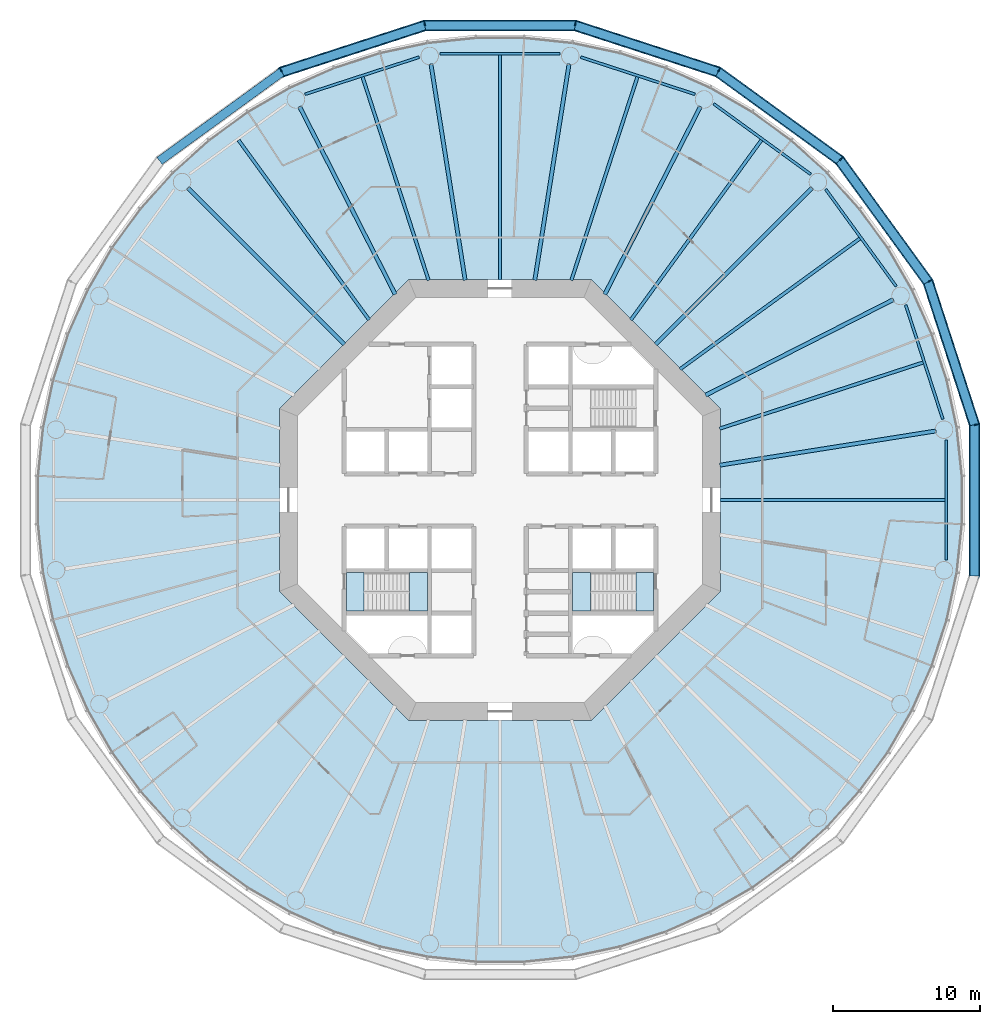
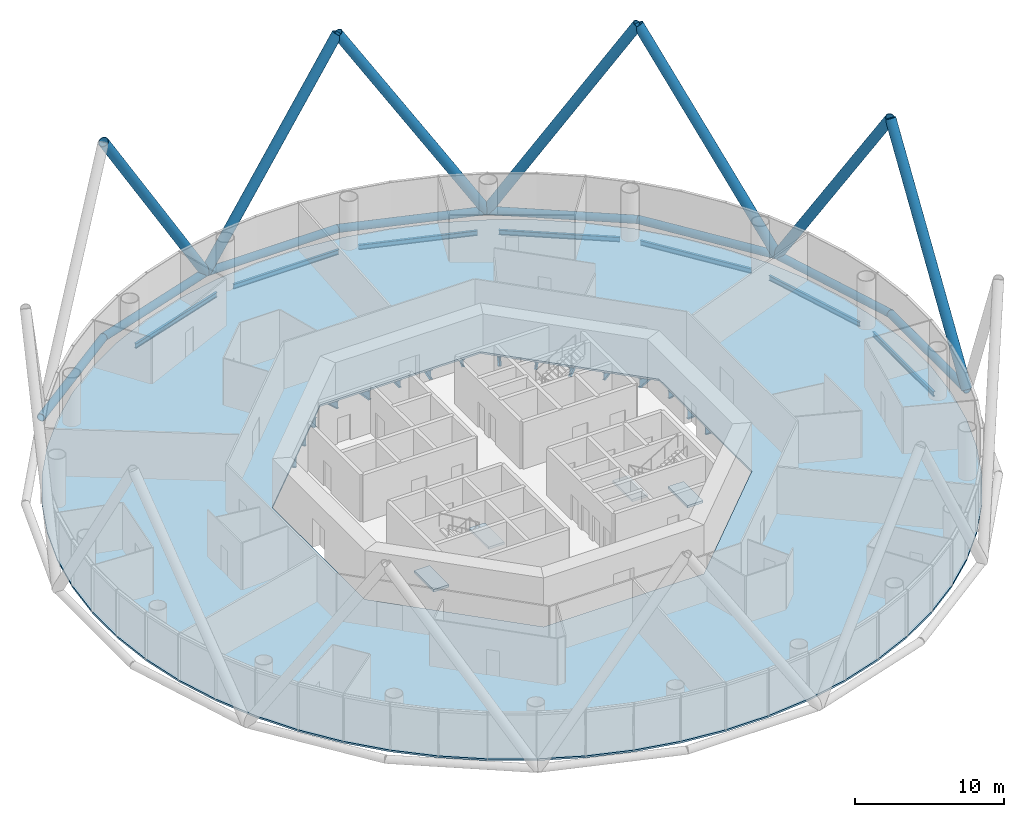
# One storey, part 2 of 14: 23 beams, 15 members, 5 slabs, 2 elements without a shape of their own.
"""IFC4 building model written with IfcOpenShell, lengths in metres."""

from ifc_helpers import new_model, si_unit, direction, frame, origin, origin_2d, place, context, subcontext, project, spatial, polyline, circle, hollow_circle, i_section, outline, extrude, material, layer, layer_set, material_profile, profile_set, type_object, element, aggregate, save


model = new_model("IFC4")

# Units and contexts
model_context = context("Model", 3, precision=1e-05, world=origin(), true_north=direction((0.0, 1.0)))
body_context = subcontext(model_context, "Body", "Model", "MODEL_VIEW")
ifc_project = project(units=[si_unit("LENGTHUNIT", "METRE"), si_unit("AREAUNIT", "SQUARE_METRE"), si_unit("VOLUMEUNIT", "CUBIC_METRE"), si_unit("PLANEANGLEUNIT", "RADIAN"), si_unit("MASSUNIT", "GRAM", prefix="KILO")], contexts=[model_context])

# Site, building, storey
site_placement = place(None, origin())
site = spatial("IfcSite", under=ifc_project, at=site_placement, CompositionType="ELEMENT")
building_placement = place(site_placement, origin())
building = spatial("IfcBuilding", under=site, at=building_placement, Name="Entoto Ring Tower", CompositionType="ELEMENT")
storey_placement = place(building_placement, frame((0.0, 0.0, 80.0)))
storey = spatial("IfcBuildingStorey", under=building, at=storey_placement, Name="L17", CompositionType="ELEMENT", Elevation=80.0)

# Members
ifc_material_1 = material(Name="Steel S355", Category="steel")
ifc_material_profile_1 = material_profile(ifc_material_1, hollow_circle(Radius=0.375, WallThickness=0.0380859375, at=origin_2d()), Name="CHS 750 x 38")
ifc_material_2 = material(Name="Concrete C60/75", Category="concrete")
ifc_material_profile_2 = material_profile(ifc_material_2, circle(Radius=0.3369140625, at=origin_2d()), Name="Concrete C60/75 infill")
ifc_profile_set_1 = profile_set([ifc_material_profile_1, ifc_material_profile_2], Name="Steel S355")
member_type_1 = type_object("IfcMemberType", Name="Diagrid diagonal 750 x 38 concrete-filled tube", PredefinedType="BRACE", material=ifc_profile_set_1)
for number, where, z_axis, x_axis, name in (
    (1, (119.135986328125, 94.845458984375, 0.0), (0.166465095802, -0.512340715739, 0.84249413225), (0.95105896794, 0.309009448885, 0.0), "DG3A module 6 01"),
    (2, (119.135986328125, 94.845458984375, 0.0), (-0.316653552924, 0.435822862586, 0.842489738731), (-0.809008424404, -0.587797047665, 0.0), "DG3A module 6 02"),
    (3, (104.845458984375, 109.135986328125, 0.0), (0.435822862586, -0.316653552924, 0.842489738731), (0.587797047665, 0.809008424404, 0.0), "DG3A module 6 03"),
    (4, (104.845458984375, 109.135986328125, 0.0), (-0.512340715739, 0.166465095802, 0.84249413225), (-0.309009448885, -0.95105896794, 0.0), "DG3A module 6 04"),
):
    element("IfcMember", number, at=place(storey_placement, frame(where, z_axis=z_axis, x_axis=x_axis)), inside=storey, type_object=member_type_1, Name=name, PredefinedType="BRACE", context=body_context, shape_type="SweptSolid", body=[
        extrude(hollow_circle(Radius=0.375, WallThickness=0.0380859375, at=origin_2d()), origin(), (0.0, 0.0, 1.0), 18.9912109375),
    ])
member_1_placement = place(storey_placement, frame((84.884521484375, 112.29736328125, 0.0), z_axis=(0.538715853857, 0.0, 0.84248752442), x_axis=(0.0, 1.0, 0.0)))
element("IfcMember", 5, at=member_1_placement, inside=storey, type_object=member_type_1, Name="DG3A module 6 05", PredefinedType="BRACE", context=body_context, shape_type="SweptSolid", body=[
    extrude(hollow_circle(Radius=0.375, WallThickness=0.0380859375, at=origin_2d()), origin(), (0.0, 0.0, 1.0), 18.991455078125),
])
member_2_placement = place(storey_placement, frame((84.884521484375, 112.29736328125, 0.0), z_axis=(-0.512340715739, -0.166465095802, 0.84249413225), x_axis=(0.309009448885, -0.95105896794, 0.0)))
element("IfcMember", 6, at=member_2_placement, inside=storey, type_object=member_type_1, Name="DG3A module 6 06", PredefinedType="BRACE", context=body_context, shape_type="SweptSolid", body=[
    extrude(hollow_circle(Radius=0.375, WallThickness=0.0380859375, at=origin_2d()), origin(), (0.0, 0.0, 1.0), 18.9912109375),
])
member_3_placement = place(storey_placement, frame((122.29736328125, 74.884521484375, 0.0), z_axis=(0.0, 0.538715853857, 0.84248752442), x_axis=(-1.0, 0.0, 0.0)))
element("IfcMember", 7, at=member_3_placement, inside=storey, type_object=member_type_1, Name="DG3A module 6 20", PredefinedType="BRACE", context=body_context, shape_type="SweptSolid", body=[
    extrude(hollow_circle(Radius=0.375, WallThickness=0.0380859375, at=origin_2d()), origin(), (0.0, 0.0, 1.0), 18.991455078125),
])
ifc_material_3 = material(Name="Steel S355", Category="steel")
ifc_material_profile_3 = material_profile(ifc_material_3, hollow_circle(Radius=0.300048828125, WallThickness=0.030029296875, at=origin_2d()), Name="CHS 600 x 30")
ifc_material_4 = material(Name="Concrete C60/75", Category="concrete")
ifc_material_profile_4 = material_profile(ifc_material_4, circle(Radius=0.27001953125, at=origin_2d()), Name="Concrete C60/75 infill")
ifc_profile_set_2 = profile_set([ifc_material_profile_3, ifc_material_profile_4], Name="Steel S355")
member_type_2 = type_object("IfcMemberType", Name="Diagrid ring beam 600 x 30", PredefinedType="CHORD", material=ifc_profile_set_2)
for number, where, z_axis, x_axis, name in (
    (8, (119.175537109375, 94.790771484375, 0.0), (-0.587773909122, 0.809025235549, 0.0), (-0.809025235549, -0.587773909122, 0.0), "DR1 ring 5 01"),
    (9, (113.177001953125, 103.082763671875, 0.0), (-0.809025235549, 0.587773909122, 0.0), (-0.587773909122, -0.809025235549, 0.0), "DR1 ring 5 02"),
):
    element("IfcMember", number, at=place(storey_placement, frame(where, z_axis=z_axis, x_axis=x_axis)), inside=storey, type_object=member_type_2, Name=name, PredefinedType="CHORD", context=body_context, shape_type="SweptSolid", body=[
        extrude(hollow_circle(Radius=0.300048828125, WallThickness=0.030029296875, at=origin_2d()), origin(), (0.0, 0.0, 1.0), 10.365966796875),
    ])
for number, where, z_axis, x_axis, name in (
    (10, (104.90966796875, 109.114990234375, 0.0), (-0.951051375491, 0.309032815696, 0.0), (-0.309032815696, -0.951051375491, 0.0), "DR1 ring 5 03"),
    (11, (95.182861328125, 112.29736328125, 0.0), (-1.0, 0.0, 0.0), (0.0, -1.0, 0.0), "DR1 ring 5 04"),
    (12, (84.94873046875, 112.318359375, 0.0), (-0.951051375491, -0.309032815696, 0.0), (0.309032815696, -0.951051375491, 0.0), "DR1 ring 5 05"),
):
    element("IfcMember", number, at=place(storey_placement, frame(where, z_axis=z_axis, x_axis=x_axis)), inside=storey, type_object=member_type_2, Name=name, PredefinedType="CHORD", context=body_context, shape_type="SweptSolid", body=[
        extrude(hollow_circle(Radius=0.300048828125, WallThickness=0.030029296875, at=origin_2d()), origin(), (0.0, 0.0, 1.0), 10.36572265625),
    ])
member_4_placement = place(storey_placement, frame((75.209228515625, 109.175537109375, 0.0), z_axis=(-0.809025235549, -0.587773909122, 0.0), x_axis=(0.587773909122, -0.809025235549, 0.0)))
element("IfcMember", 13, at=member_4_placement, inside=storey, type_object=member_type_2, Name="DR1 ring 5 06", PredefinedType="CHORD", context=body_context, shape_type="SweptSolid", body=[
    extrude(hollow_circle(Radius=0.300048828125, WallThickness=0.030029296875, at=origin_2d()), origin(), (0.0, 0.0, 1.0), 10.365966796875),
])
for number, where, z_axis, x_axis, name in (
    (14, (122.29736328125, 74.817138671875, 0.0), (0.0, 1.0, 0.0), (-1.0, 0.0, 0.0), "DR1 ring 5 19"),
    (15, (122.318359375, 85.05126953125, 0.0), (-0.309032815696, 0.951051375491, 0.0), (-0.951051375491, -0.309032815696, 0.0), "DR1 ring 5 20"),
):
    element("IfcMember", number, at=place(storey_placement, frame(where, z_axis=z_axis, x_axis=x_axis)), inside=storey, type_object=member_type_2, Name=name, PredefinedType="CHORD", context=body_context, shape_type="SweptSolid", body=[
        extrude(hollow_circle(Radius=0.300048828125, WallThickness=0.030029296875, at=origin_2d()), origin(), (0.0, 0.0, 1.0), 10.36572265625),
    ])

# Beams
ifc_material_5 = material(Name="Steel S355", Category="steel")
ifc_material_profile_5 = material_profile(ifc_material_5, i_section(OverallWidth=0.179931640625, OverallDepth=0.39990234375, WebThickness=0.008544921875, FlangeThickness=0.013427734375, FilletRadius=0.02099609375, at=origin_2d()), Name="IPE 400")
ifc_profile_set_3 = profile_set([ifc_material_profile_5], Name="Steel S355")
beam_type_1 = type_object("IfcBeamType", Name="Edge beam IPE 400", PredefinedType="SPANDREL", material=ifc_profile_set_3)
beam_1_placement = place(storey_placement, frame((120.143310546875, 85.498779296875, -0.35009765625), z_axis=(-0.309011070448, 0.951058441075, 0.0), x_axis=(-0.951058441075, -0.309011070448, 0.0)))
element("IfcBeam", 16, at=beam_1_placement, inside=storey, type_object=beam_type_1, Name="Edge beam L17 01", PredefinedType="SPANDREL", context=body_context, shape_type="SweptSolid", body=[
    extrude(i_section(OverallWidth=0.179931640625, OverallDepth=0.39990234375, WebThickness=0.008544921875, FlangeThickness=0.013427734375, FilletRadius=0.02099609375, at=origin_2d()), origin(), (0.0, 0.0, 1.0), 8.170166015625),
])
for number, where, z_axis, x_axis, name in (
    (17, (116.96875, 94.544677734375, -0.35009765625), (-0.58779139635, 0.809012530421, 0.0), (-0.809012530421, -0.58779139635, 0.0), "Edge beam L17 02"),
    (18, (111.154296875, 102.16650390625, -0.35009765625), (-0.809012530421, 0.58779139635, 0.0), (-0.58779139635, -0.809012530421, 0.0), "Edge beam L17 03"),
):
    element("IfcBeam", number, at=place(storey_placement, frame(where, z_axis=z_axis, x_axis=x_axis)), inside=storey, type_object=beam_type_1, Name=name, PredefinedType="SPANDREL", context=body_context, shape_type="SweptSolid", body=[
        extrude(i_section(OverallWidth=0.179931640625, OverallDepth=0.39990234375, WebThickness=0.008544921875, FlangeThickness=0.013427734375, FilletRadius=0.02099609375, at=origin_2d()), origin(), (0.0, 0.0, 1.0), 8.169921875),
    ])
beam_2_placement = place(storey_placement, frame((103.26904296875, 107.61865234375, -0.35009765625), z_axis=(-0.951058441075, 0.309011070448, 0.0), x_axis=(-0.309011070448, -0.951058441075, 0.0)))
element("IfcBeam", 19, at=beam_2_placement, inside=storey, type_object=beam_type_1, Name="Edge beam L17 04", PredefinedType="SPANDREL", context=body_context, shape_type="SweptSolid", body=[
    extrude(i_section(OverallWidth=0.179931640625, OverallDepth=0.39990234375, WebThickness=0.008544921875, FlangeThickness=0.013427734375, FilletRadius=0.02099609375, at=origin_2d()), origin(), (0.0, 0.0, 1.0), 8.170166015625),
])
beam_3_placement = place(storey_placement, frame((94.0849609375, 110.3671875, -0.35009765625), z_axis=(-1.0, 0.0, 0.0), x_axis=(0.0, -1.0, 0.0)))
element("IfcBeam", 20, at=beam_3_placement, inside=storey, type_object=beam_type_1, Name="Edge beam L17 05", PredefinedType="SPANDREL", context=body_context, shape_type="SweptSolid", body=[
    extrude(i_section(OverallWidth=0.179931640625, OverallDepth=0.39990234375, WebThickness=0.008544921875, FlangeThickness=0.013427734375, FilletRadius=0.02099609375, at=origin_2d()), origin(), (0.0, 0.0, 1.0), 8.169921875),
])
beam_4_placement = place(storey_placement, frame((84.501220703125, 110.143310546875, -0.35009765625), z_axis=(-0.951058441075, -0.309011070448, 0.0), x_axis=(0.309011070448, -0.951058441075, 0.0)))
element("IfcBeam", 21, at=beam_4_placement, inside=storey, type_object=beam_type_1, Name="Edge beam L17 06", PredefinedType="SPANDREL", context=body_context, shape_type="SweptSolid", body=[
    extrude(i_section(OverallWidth=0.179931640625, OverallDepth=0.39990234375, WebThickness=0.008544921875, FlangeThickness=0.013427734375, FilletRadius=0.02099609375, at=origin_2d()), origin(), (0.0, 0.0, 1.0), 8.170166015625),
])
beam_5_placement = place(storey_placement, frame((120.3671875, 75.9150390625, -0.35009765625), z_axis=(0.0, 1.0, 0.0), x_axis=(-1.0, 0.0, 0.0)))
element("IfcBeam", 22, at=beam_5_placement, inside=storey, type_object=beam_type_1, Name="Edge beam L17 20", PredefinedType="SPANDREL", context=body_context, shape_type="SweptSolid", body=[
    extrude(i_section(OverallWidth=0.179931640625, OverallDepth=0.39990234375, WebThickness=0.008544921875, FlangeThickness=0.013427734375, FilletRadius=0.02099609375, at=origin_2d()), origin(), (0.0, 0.0, 1.0), 8.169921875),
])
ifc_material_6 = material(Name="Steel S355", Category="steel")
ifc_material_profile_6 = material_profile(ifc_material_6, i_section(OverallWidth=0.262939453125, OverallDepth=0.7529296875, WebThickness=0.011474609375, FlangeThickness=0.01708984375, FilletRadius=0.01708984375, at=origin_2d()), Name="IPE 750 x 137")
ifc_profile_set_4 = profile_set([ifc_material_profile_6], Name="Steel S355")
beam_type_2 = type_object("IfcBeamType", Name="Primary floor beam IPE 750 x 137", PredefinedType="BEAM", material=ifc_profile_set_4)
beam_6_placement = place(storey_placement, frame((104.959716796875, 82.369384765625, -0.526611328125), z_axis=(0.987688288162, 0.156434796089, 0.0), x_axis=(-0.156434796089, 0.987688288162, 0.0)))
element("IfcBeam", 23, at=beam_6_placement, inside=storey, type_object=beam_type_2, Name="Primary L17 R01", PredefinedType="BEAM", context=body_context, shape_type="SweptSolid", body=[
    extrude(i_section(OverallWidth=0.262939453125, OverallDepth=0.7529296875, WebThickness=0.011474609375, FlangeThickness=0.01708984375, FilletRadius=0.01708984375, at=origin_2d()), origin(), (0.0, 0.0, 1.0), 14.893310546875),
])
beam_7_placement = place(storey_placement, frame((103.9970703125, 87.1318359375, -0.526611328125), z_axis=(0.891004260202, 0.453994943036, 0.0), x_axis=(-0.453994943036, 0.891004260202, 0.0)))
element("IfcBeam", 24, at=beam_7_placement, inside=storey, type_object=beam_type_2, Name="Primary L17 R02", PredefinedType="BEAM", context=body_context, shape_type="SweptSolid", body=[
    extrude(i_section(OverallWidth=0.262939453125, OverallDepth=0.7529296875, WebThickness=0.011474609375, FlangeThickness=0.01708984375, FilletRadius=0.01708984375, at=origin_2d()), origin(), (0.0, 0.0, 1.0), 14.330322265625),
])
beam_8_placement = place(storey_placement, frame((100.592529296875, 90.592529296875, -0.526611328125), z_axis=(0.707106781187, 0.707106781187, 0.0), x_axis=(-0.707106781187, 0.707106781187, 0.0)))
element("IfcBeam", 25, at=beam_8_placement, inside=storey, type_object=beam_type_2, Name="Primary L17 R03", PredefinedType="BEAM", context=body_context, shape_type="SweptSolid", body=[
    extrude(i_section(OverallWidth=0.262939453125, OverallDepth=0.7529296875, WebThickness=0.011474609375, FlangeThickness=0.01708984375, FilletRadius=0.01708984375, at=origin_2d()), origin(), (0.0, 0.0, 1.0), 15.0595703125),
])
beam_9_placement = place(storey_placement, frame((97.1318359375, 93.9970703125, -0.526611328125), z_axis=(0.453994943036, 0.891004260202, 0.0), x_axis=(-0.891004260202, 0.453994943036, 0.0)))
element("IfcBeam", 26, at=beam_9_placement, inside=storey, type_object=beam_type_2, Name="Primary L17 R04", PredefinedType="BEAM", context=body_context, shape_type="SweptSolid", body=[
    extrude(i_section(OverallWidth=0.262939453125, OverallDepth=0.7529296875, WebThickness=0.011474609375, FlangeThickness=0.01708984375, FilletRadius=0.01708984375, at=origin_2d()), origin(), (0.0, 0.0, 1.0), 14.330322265625),
])
for number, where, z_axis, x_axis, name in (
    (27, (92.369384765625, 94.959716796875, -0.526611328125), (0.156434796089, 0.987688288162, 0.0), (-0.987688288162, 0.156434796089, 0.0), "Primary L17 R05"),
    (28, (87.630615234375, 94.959716796875, -0.526611328125), (-0.156434796089, 0.987688288162, 0.0), (-0.987688288162, -0.156434796089, 0.0), "Primary L17 R06"),
):
    element("IfcBeam", number, at=place(storey_placement, frame(where, z_axis=z_axis, x_axis=x_axis)), inside=storey, type_object=beam_type_2, Name=name, PredefinedType="BEAM", context=body_context, shape_type="SweptSolid", body=[
        extrude(i_section(OverallWidth=0.262939453125, OverallDepth=0.7529296875, WebThickness=0.011474609375, FlangeThickness=0.01708984375, FilletRadius=0.01708984375, at=origin_2d()), origin(), (0.0, 0.0, 1.0), 14.893310546875),
    ])
beam_10_placement = place(storey_placement, frame((82.8681640625, 93.9970703125, -0.526611328125), z_axis=(-0.453994943036, 0.891004260202, 0.0), x_axis=(-0.891004260202, -0.453994943036, 0.0)))
element("IfcBeam", 29, at=beam_10_placement, inside=storey, type_object=beam_type_2, Name="Primary L17 R07", PredefinedType="BEAM", context=body_context, shape_type="SweptSolid", body=[
    extrude(i_section(OverallWidth=0.262939453125, OverallDepth=0.7529296875, WebThickness=0.011474609375, FlangeThickness=0.01708984375, FilletRadius=0.01708984375, at=origin_2d()), origin(), (0.0, 0.0, 1.0), 14.330322265625),
])
beam_11_placement = place(storey_placement, frame((79.407470703125, 90.592529296875, -0.526611328125), z_axis=(-0.707106781187, 0.707106781187, 0.0), x_axis=(-0.707106781187, -0.707106781187, 0.0)))
element("IfcBeam", 30, at=beam_11_placement, inside=storey, type_object=beam_type_2, Name="Primary L17 R08", PredefinedType="BEAM", context=body_context, shape_type="SweptSolid", body=[
    extrude(i_section(OverallWidth=0.262939453125, OverallDepth=0.7529296875, WebThickness=0.011474609375, FlangeThickness=0.01708984375, FilletRadius=0.01708984375, at=origin_2d()), origin(), (0.0, 0.0, 1.0), 15.0595703125),
])
ifc_material_7 = material(Name="Steel S355", Category="steel")
ifc_material_profile_7 = material_profile(ifc_material_7, i_section(OverallWidth=0.219970703125, OverallDepth=0.60009765625, WebThickness=0.011962890625, FlangeThickness=0.01904296875, FilletRadius=0.02392578125, at=origin_2d()), Name="IPE 600")
ifc_profile_set_5 = profile_set([ifc_material_profile_7], Name="Steel S355")
beam_type_3 = type_object("IfcBeamType", Name="Secondary floor beam IPE 600", PredefinedType="JOIST", material=ifc_profile_set_5)
beam_12_placement = place(storey_placement, frame((104.947021484375, 84.856689453125, -0.449951171875), z_axis=(0.951058585524, 0.30901062587, 0.0), x_axis=(-0.30901062587, 0.951058585524, 0.0)))
element("IfcBeam", 31, at=beam_12_placement, inside=storey, type_object=beam_type_3, Name="Secondary beam L17 01", PredefinedType="JOIST", context=body_context, shape_type="SweptSolid", body=[
    extrude(i_section(OverallWidth=0.219970703125, OverallDepth=0.60009765625, WebThickness=0.011962890625, FlangeThickness=0.01904296875, FilletRadius=0.02392578125, at=origin_2d()), origin(), (0.0, 0.0, 1.0), 14.56103515625),
])
for number, where, z_axis, x_axis, name in (
    (32, (102.25634765625, 88.90478515625, -0.449951171875), (0.809015846179, 0.587786832645, 0.0), (-0.587786832645, 0.809015846179, 0.0), "Secondary beam L17 02"),
    (33, (98.90478515625, 92.25634765625, -0.449951171875), (0.587786832645, 0.809015846179, 0.0), (-0.809015846179, 0.587786832645, 0.0), "Secondary beam L17 03"),
):
    element("IfcBeam", number, at=place(storey_placement, frame(where, z_axis=z_axis, x_axis=x_axis)), inside=storey, type_object=beam_type_3, Name=name, PredefinedType="JOIST", context=body_context, shape_type="SweptSolid", body=[
        extrude(i_section(OverallWidth=0.219970703125, OverallDepth=0.60009765625, WebThickness=0.011962890625, FlangeThickness=0.01904296875, FilletRadius=0.02392578125, at=origin_2d()), origin(), (0.0, 0.0, 1.0), 15.127685546875),
    ])
beam_13_placement = place(storey_placement, frame((94.856689453125, 94.947021484375, -0.449951171875), z_axis=(0.30901062587, 0.951058585524, 0.0), x_axis=(-0.951058585524, 0.30901062587, 0.0)))
element("IfcBeam", 34, at=beam_13_placement, inside=storey, type_object=beam_type_3, Name="Secondary beam L17 04", PredefinedType="JOIST", context=body_context, shape_type="SweptSolid", body=[
    extrude(i_section(OverallWidth=0.219970703125, OverallDepth=0.60009765625, WebThickness=0.011962890625, FlangeThickness=0.01904296875, FilletRadius=0.02392578125, at=origin_2d()), origin(), (0.0, 0.0, 1.0), 14.56103515625),
])
beam_14_placement = place(storey_placement, frame((90.0, 94.97998046875, -0.449951171875), z_axis=(0.0, 1.0, 0.0), x_axis=(-1.0, 0.0, 0.0)))
element("IfcBeam", 35, at=beam_14_placement, inside=storey, type_object=beam_type_3, Name="Secondary beam L17 05", PredefinedType="JOIST", context=body_context, shape_type="SweptSolid", body=[
    extrude(i_section(OverallWidth=0.219970703125, OverallDepth=0.60009765625, WebThickness=0.011962890625, FlangeThickness=0.01904296875, FilletRadius=0.02392578125, at=origin_2d()), origin(), (0.0, 0.0, 1.0), 15.29736328125),
])
beam_15_placement = place(storey_placement, frame((85.143310546875, 94.947021484375, -0.449951171875), z_axis=(-0.30901062587, 0.951058585524, 0.0), x_axis=(-0.951058585524, -0.30901062587, 0.0)))
element("IfcBeam", 36, at=beam_15_placement, inside=storey, type_object=beam_type_3, Name="Secondary beam L17 06", PredefinedType="JOIST", context=body_context, shape_type="SweptSolid", body=[
    extrude(i_section(OverallWidth=0.219970703125, OverallDepth=0.60009765625, WebThickness=0.011962890625, FlangeThickness=0.01904296875, FilletRadius=0.02392578125, at=origin_2d()), origin(), (0.0, 0.0, 1.0), 14.56103515625),
])
beam_16_placement = place(storey_placement, frame((81.09521484375, 92.25634765625, -0.449951171875), z_axis=(-0.587786832645, 0.809015846179, 0.0), x_axis=(-0.809015846179, -0.587786832645, 0.0)))
element("IfcBeam", 37, at=beam_16_placement, inside=storey, type_object=beam_type_3, Name="Secondary beam L17 07", PredefinedType="JOIST", context=body_context, shape_type="SweptSolid", body=[
    extrude(i_section(OverallWidth=0.219970703125, OverallDepth=0.60009765625, WebThickness=0.011962890625, FlangeThickness=0.01904296875, FilletRadius=0.02392578125, at=origin_2d()), origin(), (0.0, 0.0, 1.0), 15.127685546875),
])
beam_17_placement = place(storey_placement, frame((104.97998046875, 80.0, -0.449951171875), z_axis=(1.0, 0.0, 0.0), x_axis=(0.0, 1.0, 0.0)))
element("IfcBeam", 38, at=beam_17_placement, inside=storey, type_object=beam_type_3, Name="Secondary beam L17 20", PredefinedType="JOIST", context=body_context, shape_type="SweptSolid", body=[
    extrude(i_section(OverallWidth=0.219970703125, OverallDepth=0.60009765625, WebThickness=0.011962890625, FlangeThickness=0.01904296875, FilletRadius=0.02392578125, at=origin_2d()), origin(), (0.0, 0.0, 1.0), 15.29736328125),
])

# Slab
ifc_material_8 = material(Name="Concrete C30/37", Category="concrete")
ifc_layer_1 = layer(ifc_material_8, 0.14990234375)
ifc_layer_set_1 = layer_set([ifc_layer_1], Name="Concrete C30/37")
slab_type_1 = type_object("IfcSlabType", Name="Composite floor slab 150 mm", PredefinedType="FLOOR", material=ifc_layer_set_1)
slab_1_placement = place(storey_placement, frame((0.0, 0.0, -0.14990234375)))
element("IfcSlab", 39, at=slab_1_placement, inside=storey, type_object=slab_type_1, Name="Floor slab L17", PredefinedType="FLOOR", context=body_context, shape_type="SweptSolid", body=[
    extrude(outline(polyline([(121.2109375, 84.943359375), (120.523193359375, 88.1787109375), (119.501220703125, 91.324462890625), (118.15576171875, 94.34619140625), (116.501953125, 97.210693359375), (114.557861328125, 99.886474609375), (112.344482421875, 102.344482421875), (109.886474609375, 104.557861328125), (107.210693359375, 106.501953125), (104.34619140625, 108.15576171875), (101.324462890625, 109.501220703125), (98.1787109375, 110.523193359375), (94.943359375, 111.2109375), (91.65380859375, 111.556640625), (88.34619140625, 111.556640625), (85.056640625, 111.2109375), (81.8212890625, 110.523193359375), (78.675537109375, 109.501220703125), (75.65380859375, 108.15576171875), (72.789306640625, 106.501953125), (70.113525390625, 104.557861328125), (67.655517578125, 102.344482421875), (65.442138671875, 99.886474609375), (63.498046875, 97.210693359375), (61.84423828125, 94.34619140625), (60.498779296875, 91.324462890625), (59.476806640625, 88.1787109375), (58.7890625, 84.943359375), (58.443359375, 81.65380859375), (58.443359375, 78.34619140625), (58.7890625, 75.056640625), (59.476806640625, 71.8212890625), (60.498779296875, 68.675537109375), (61.84423828125, 65.65380859375), (63.498046875, 62.789306640625), (65.442138671875, 60.113525390625), (67.655517578125, 57.655517578125), (70.113525390625, 55.442138671875), (72.789306640625, 53.498046875), (75.65380859375, 51.84423828125), (78.675537109375, 50.498779296875), (81.8212890625, 49.476806640625), (85.056640625, 48.7890625), (88.34619140625, 48.443359375), (91.65380859375, 48.443359375), (94.943359375, 48.7890625), (98.1787109375, 49.476806640625), (101.324462890625, 50.498779296875), (104.34619140625, 51.84423828125), (107.210693359375, 53.498046875), (109.886474609375, 55.442138671875), (112.344482421875, 57.655517578125), (114.557861328125, 60.113525390625), (116.501953125, 62.789306640625), (118.15576171875, 65.65380859375), (119.501220703125, 68.675537109375), (120.523193359375, 71.8212890625), (121.2109375, 75.056640625), (121.556640625, 78.34619140625), (121.556640625, 81.65380859375), (121.2109375, 84.943359375)]), holes=[polyline([(105.0, 73.786865234375), (105.0, 86.213134765625), (96.213134765625, 95.0), (83.786865234375, 95.0), (75.0, 86.213134765625), (75.0, 73.786865234375), (83.786865234375, 65.0), (96.213134765625, 65.0), (105.0, 73.786865234375)])]), origin(), (0.0, 0.0, 1.0), 0.14990234375),
])

# Stair, slabs
ifc_material_9 = material(Name="Concrete C40/50", Category="concrete")
stair_type = type_object("IfcStairType", Name="Exit stair 1200 mm dog-leg reinforced concrete", PredefinedType="HALF_TURN_STAIR", material=ifc_material_9)
stair_1_placement = place(storey_placement, origin())
stair_1 = element("IfcStair", 40, at=stair_1_placement, inside=storey, type_object=stair_type, Name="Exit stair 2", PredefinedType="HALF_TURN_STAIR")
ifc_material_10 = material(Name="Concrete C40/50", Category="concrete")
ifc_layer_2 = layer(ifc_material_10, 0.199951171875)
ifc_layer_set_2 = layer_set([ifc_layer_2], Name="Concrete C40/50")
slab_type_2 = type_object("IfcSlabType", Name="Stair landing 200 mm reinforced concrete", PredefinedType="LANDING", material=ifc_layer_set_2)
slab_2_placement = place(storey_placement, frame((0.0, 0.0, -0.199951171875)))
slab_2 = element("IfcSlab", 41, at=slab_2_placement, type_object=slab_type_2, Name="ST2 landing 1", PredefinedType="LANDING", context=body_context, shape_type="SweptSolid", body=[
    extrude(outline(polyline([(80.75, 72.449951171875), (80.75, 75.050048828125), (79.550048828125, 75.050048828125), (79.550048828125, 72.449951171875), (80.75, 72.449951171875)])), origin(), (0.0, 0.0, 1.0), 0.199951171875),
])
slab_3_placement = place(storey_placement, frame((0.0, 0.0, 1.800048828125)))
slab_3 = element("IfcSlab", 42, at=slab_3_placement, type_object=slab_type_2, Name="ST2 landing 2", PredefinedType="LANDING", context=body_context, shape_type="SweptSolid", body=[
    extrude(outline(polyline([(83.830078125, 72.449951171875), (85.050048828125, 72.449951171875), (85.050048828125, 75.050048828125), (83.830078125, 75.050048828125), (83.830078125, 72.449951171875)])), origin(), (0.0, 0.0, 1.0), 0.199951171875),
])
aggregate(stair_1, [slab_2, slab_3])

stair_2_placement = place(storey_placement, origin())
stair_2 = element("IfcStair", 43, at=stair_2_placement, inside=storey, type_object=stair_type, Name="Exit stair 3", PredefinedType="HALF_TURN_STAIR")
slab_4_placement = place(storey_placement, frame((0.0, 0.0, -0.199951171875)))
slab_4 = element("IfcSlab", 44, at=slab_4_placement, type_object=slab_type_2, Name="ST3 landing 1", PredefinedType="LANDING", context=body_context, shape_type="SweptSolid", body=[
    extrude(outline(polyline([(100.449951171875, 72.449951171875), (100.449951171875, 75.050048828125), (99.25, 75.050048828125), (99.25, 72.449951171875), (100.449951171875, 72.449951171875)])), origin(), (0.0, 0.0, 1.0), 0.199951171875),
])
slab_5_placement = place(storey_placement, frame((0.0, 0.0, 1.800048828125)))
slab_5 = element("IfcSlab", 45, at=slab_5_placement, type_object=slab_type_2, Name="ST3 landing 2", PredefinedType="LANDING", context=body_context, shape_type="SweptSolid", body=[
    extrude(outline(polyline([(94.949951171875, 72.449951171875), (96.169921875, 72.449951171875), (96.169921875, 75.050048828125), (94.949951171875, 75.050048828125), (94.949951171875, 72.449951171875)])), origin(), (0.0, 0.0, 1.0), 0.199951171875),
])
aggregate(stair_2, [slab_4, slab_5])

save(model, "model.ifc")
